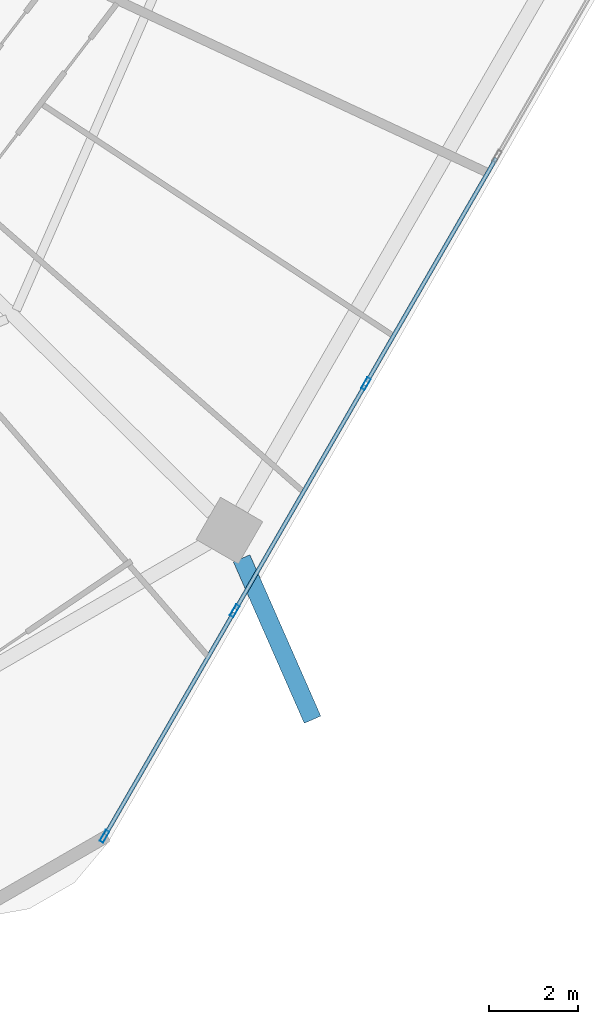
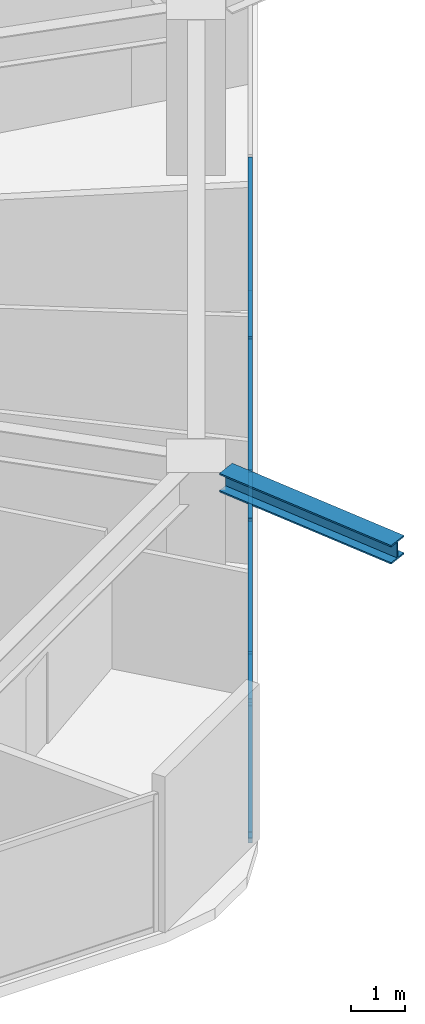
# One storey, part 8 of 29: 9 members, 1 beam, 1 element without a shape of its own.
"""IFC4 building model written with IfcOpenShell, lengths in metres."""

import ifcopenshell
import ifcopenshell.guid

model = None  # the IFC model being written
_history = None  # IfcOwnerHistory: only IFC2X3 demands one
_inside = {}  # id of a spatial element -> (the spatial element, [elements in it])
_under = {}  # id of a project, library or spatial element -> (it, [spatial elements below it])
_declared = {}  # id of a project -> (the project, [libraries it declares])
_typed = {}  # id of a type object -> (the type object, [elements of that type])
_made_of = {}  # id of a material, layer set ... -> (it, [elements and type objects made of it])


def new_model(schema):
    """Start an empty IFC model of exactly this schema.

    Asked for "IFC4X3", IfcOpenShell would pick the latest addendum, in which some entities
    have other attributes; the version numbers below select the first issue.
    IFC2X3 requires an IfcOwnerHistory on every rooted entity: one is made here for all.
    """
    global model, _history
    if schema == "IFC4X3":
        model = ifcopenshell.file(schema_version=(4, 3, 0, 0))
    else:
        model = ifcopenshell.file(schema=schema)
    _inside.clear()
    _under.clear()
    _declared.clear()
    _typed.clear()
    _made_of.clear()
    _history = None
    if model.schema == "IFC2X3":
        org = make("IfcOrganization", Name="unknown")
        user = make(
            "IfcPersonAndOrganization",
            ThePerson=make("IfcPerson", FamilyName="unknown"),
            TheOrganization=org,
        )
        app = make(
            "IfcApplication",
            ApplicationDeveloper=org,
            Version="unknown",
            ApplicationFullName="unknown",
            ApplicationIdentifier="unknown",
        )
        _history = make(
            "IfcOwnerHistory",
            OwningUser=user,
            OwningApplication=app,
            ChangeAction="ADDED",
            CreationDate=0,
        )
    return model


def make(cls, **values):
    """One entity of the class cls with the attributes given. An attribute that is None is left unset."""
    return model.create_entity(
        cls, **{name: value for name, value in values.items() if value is not None}
    )


def rooted(cls, **values):
    """An entity with a GlobalId (a new one), such as an element, a storey or a relation."""
    return make(cls, GlobalId=ifcopenshell.guid.new(), OwnerHistory=_history, **values)


def si_unit(unit_type, name, prefix=None):
    """IfcSIUnit, for example si_unit("LENGTHUNIT", "METRE", prefix="MILLI")."""
    return make("IfcSIUnit", UnitType=unit_type, Prefix=prefix, Name=name)


def assignment(units):
    """IfcUnitAssignment: the units of a project."""
    return None if units is None else make("IfcUnitAssignment", Units=units)


def point(xyz):
    """IfcCartesianPoint."""
    return None if xyz is None else make("IfcCartesianPoint", Coordinates=xyz)


def direction(xyz):
    """IfcDirection."""
    return None if xyz is None else make("IfcDirection", DirectionRatios=xyz)


def frame(location, z_axis=None, x_axis=None):
    """IfcAxis2Placement3D, a coordinate frame: its origin and axes. An axis left out is left unset."""
    return make(
        "IfcAxis2Placement3D",
        Location=point(location),
        Axis=direction(z_axis),
        RefDirection=direction(x_axis),
    )


def frame_2d(location, x_axis=None):
    """IfcAxis2Placement2D, a coordinate frame in the plane: its origin and x axis."""
    return make(
        "IfcAxis2Placement2D", Location=point(location), RefDirection=direction(x_axis)
    )


def origin():
    """The frame at (0, 0, 0) with its axes left unset."""
    return frame((0.0, 0.0, 0.0))


def origin_2d():
    """The frame at (0, 0) in the plane with its x axis left unset."""
    return frame_2d((0.0, 0.0))


def place(relative_to, where):
    """IfcLocalPlacement: puts the frame where relative to a parent placement (None: the world)."""
    return make(
        "IfcLocalPlacement", PlacementRelTo=relative_to, RelativePlacement=where
    )


def context(
    kind, dimensions, precision=None, world=None, true_north=None, identifier=None
):
    """IfcGeometricRepresentationContext, for example the 3D "Model" context."""
    return make(
        "IfcGeometricRepresentationContext",
        ContextIdentifier=identifier,
        ContextType=kind,
        CoordinateSpaceDimension=dimensions,
        Precision=precision,
        WorldCoordinateSystem=world,
        TrueNorth=true_north,
    )


def subcontext(parent, identifier, kind, view, scale=None):
    """IfcGeometricRepresentationSubContext, for example "Body" below "Model"."""
    return make(
        "IfcGeometricRepresentationSubContext",
        ContextIdentifier=identifier,
        ContextType=kind,
        ParentContext=parent,
        TargetScale=scale,
        TargetView=view,
    )


def project(units=None, contexts=None):
    """IfcProject with its units and contexts."""
    return rooted(
        "IfcProject",
        Name="project",
        RepresentationContexts=contexts,
        UnitsInContext=assignment(units),
    )


def spatial(cls, under=None, at=None, **own):
    """A site, building, storey or space (cls), placed at a placement, below another one or the project."""
    s = rooted(cls, ObjectPlacement=at, **own)
    if under is not None:
        _under.setdefault(under.id(), (under, []))[1].append(s)
    return s


def profile(cls, at=None, kind="AREA", **sizes):
    """A parametric profile (cls). Its sizes go by their IFC names, for example OverallWidth=200.0."""
    return make(cls, ProfileType=kind, Position=at, **sizes)


def hollow_rectangle(**sizes):
    """IfcRectangleHollowProfileDef."""
    return profile("IfcRectangleHollowProfileDef", **sizes)


def i_section(**sizes):
    """IfcIShapeProfileDef."""
    return profile("IfcIShapeProfileDef", **sizes)


def extrude(swept, where, along, depth):
    """IfcExtrudedAreaSolid: the profile swept, set in the frame where, extruded along a direction by depth."""
    return make(
        "IfcExtrudedAreaSolid",
        SweptArea=swept,
        Position=where,
        ExtrudedDirection=direction(along),
        Depth=depth,
    )


def shape(context_of_items, identifier, shape_type, items):
    """IfcShapeRepresentation: the items that make up one representation, for example the "Body"."""
    return make(
        "IfcShapeRepresentation",
        ContextOfItems=context_of_items,
        RepresentationIdentifier=identifier,
        RepresentationType=shape_type,
        Items=items,
    )


def material(Name=None, Category=None):
    """IfcMaterial."""
    return make("IfcMaterial", Name=Name, Category=Category)


def material_profile(
    of_material, cross_section, Name=None, Category=None, Priority=None
):
    """IfcMaterialProfile: a cross section and its material."""
    return make(
        "IfcMaterialProfile",
        Name=Name,
        Material=of_material,
        Profile=cross_section,
        Priority=Priority,
        Category=Category,
    )


def profile_set(profiles, Name=None, composite=None):
    """IfcMaterialProfileSet."""
    return make(
        "IfcMaterialProfileSet",
        Name=Name,
        MaterialProfiles=profiles,
        CompositeProfile=composite,
    )


def made_of(thing, what):
    """Note that an element or type object is made of a material, layer set ...; save() writes the relation."""
    if what is not None:
        _made_of.setdefault(what.id(), (what, []))[1].append(thing)
    return thing


def type_object(cls, material=None, **own):
    """A type object (cls), such as IfcWallType, which elements share."""
    return made_of(rooted(cls, **own), material)


def element(
    cls,
    number,
    at=None,
    inside=None,
    cuts=None,
    type_object=None,
    material=None,
    context=None,
    identifier="Body",
    shape_type=None,
    held_by="IfcProductDefinitionShape",
    body=None,
    shapes=None,
    **own,
):
    """One element of the class cls, such as IfcWall. Its Tag is "e" and its number.

    at: its placement. inside: the storey or other place that contains it. cuts: it is an
    opening in that element (IfcRelVoidsElement). A single representation is given by context,
    identifier, shape_type and body (its items); several are given by shapes. held_by: the class
    of the entity that holds the representations. save() writes the other relations.
    """
    e = rooted(cls, Tag="e%d" % number, ObjectPlacement=at, **own)
    if body is not None:
        shapes = [shape(context, identifier, shape_type, body)]
    if shapes is not None:
        e.Representation = make(held_by, Representations=shapes)
    if inside is not None:
        _inside.setdefault(inside.id(), (inside, []))[1].append(e)
    if cuts is not None:
        rooted(
            "IfcRelVoidsElement", RelatingBuildingElement=cuts, RelatedOpeningElement=e
        )
    if type_object is not None:
        _typed.setdefault(type_object.id(), (type_object, []))[1].append(e)
    return made_of(e, material)


def aggregate(whole, parts):
    """IfcRelAggregates: a whole, such as a stair, and the parts it consists of."""
    return rooted("IfcRelAggregates", RelatingObject=whole, RelatedObjects=parts)


def save(model, path):
    """Write the relations noted so far, then the file.

    IfcRelAggregates (storeys below a building ...), IfcRelContainedInSpatialStructure (elements
    in a storey), IfcRelDefinesByType, IfcRelAssociatesMaterial and IfcRelDeclares: one each for
    every whole, place, type object, material and project.
    """
    for whole, parts in _under.values():
        aggregate(whole, parts)
    for where, things in _inside.values():
        rooted(
            "IfcRelContainedInSpatialStructure",
            RelatedElements=things,
            RelatingStructure=where,
        )
    for kind, things in _typed.values():
        rooted("IfcRelDefinesByType", RelatedObjects=things, RelatingType=kind)
    for what, things in _made_of.values():
        rooted("IfcRelAssociatesMaterial", RelatedObjects=things, RelatingMaterial=what)
    for by, libraries in _declared.values():
        rooted("IfcRelDeclares", RelatingContext=by, RelatedDefinitions=libraries)
    model.write(path)


model = new_model("IFC4")

# Units and contexts
model_context = context("Model", 3, precision=1e-05, world=origin(), true_north=direction((0.0, 1.0)))
body_context = subcontext(model_context, "Body", "Model", "MODEL_VIEW")
ifc_project = project(units=[si_unit("LENGTHUNIT", "METRE"), si_unit("AREAUNIT", "SQUARE_METRE"), si_unit("VOLUMEUNIT", "CUBIC_METRE"), si_unit("PLANEANGLEUNIT", "RADIAN"), si_unit("MASSUNIT", "GRAM", prefix="KILO")], contexts=[model_context])

# Site, building, storey
site_placement = place(None, origin())
site = spatial("IfcSite", under=ifc_project, at=site_placement, CompositionType="ELEMENT")
building_placement = place(site_placement, origin())
building = spatial("IfcBuilding", under=site, at=building_placement, Name="Zuhravey Tower", CompositionType="ELEMENT")
storey_placement = place(building_placement, frame((0.0, 0.0, 134.199951171875)))
storey = spatial("IfcBuildingStorey", under=building, at=storey_placement, Name="L33", CompositionType="ELEMENT", Elevation=134.199951171875)

# Curtain wall, members
ifc_material_1 = material(Name="Thermally broken anodised aluminium", Category="aluminium")
curtain_wall_type = type_object("IfcCurtainWallType", Name="Zone 1-2 Residential Curtain Wall CW3", PredefinedType="NOTDEFINED", material=ifc_material_1)
curtain_wall_placement = place(storey_placement, origin())
curtain_wall = element("IfcCurtainWall", 1, at=curtain_wall_placement, inside=storey, type_object=curtain_wall_type, Name="L33 CW3 CW-L33-F6-1", PredefinedType="NOTDEFINED")
ifc_material_2 = material(Name="Anodised aluminium", Category="aluminium")
ifc_material_profile_1 = material_profile(ifc_material_2, hollow_rectangle(XDim=0.090087890625, YDim=0.284912109375, WallThickness=0.0048828125, at=origin_2d()), Name="ALU-RHS-90x285x5")
ifc_profile_set_1 = profile_set([ifc_material_profile_1], Name="Anodised aluminium")
member_type_1 = type_object("IfcMemberType", Name="Curtain-Wall Mullion 90x180", PredefinedType="MULLION", material=ifc_profile_set_1)
member_1_placement = place(storey_placement, frame((59.598876953125, 14.95751953125, 0.0), z_axis=(0.0, 0.0, 1.0), x_axis=(0.86602552265, -0.499999794119, 0.0)))
member_1 = element("IfcMember", 2, at=member_1_placement, type_object=member_type_1, Name="CW3 mullion 4", PredefinedType="MULLION", context=body_context, shape_type="SweptSolid", body=[
    extrude(hollow_rectangle(XDim=0.090087890625, YDim=0.284912109375, WallThickness=0.0048828125, at=origin_2d()), origin(), (0.0, 0.0, 1.0), 3.1220703125),
])
member_2_placement = place(storey_placement, frame((56.638916015625, 9.830810546875, 0.0), z_axis=(0.0, 0.0, 1.0), x_axis=(0.86602552265, -0.499999794119, 0.0)))
member_2 = element("IfcMember", 3, at=member_2_placement, type_object=member_type_1, Name="CW3 mullion 5", PredefinedType="MULLION", context=body_context, shape_type="SweptSolid", body=[
    extrude(hollow_rectangle(XDim=0.090087890625, YDim=0.284912109375, WallThickness=0.0048828125, at=origin_2d()), origin(), (0.0, 0.0, 1.0), 3.1220703125),
])
member_3_placement = place(storey_placement, frame((53.701416015625, 4.742919921875, 0.0), z_axis=(0.0, 0.0, 1.0), x_axis=(0.86602552265, -0.499999794119, 0.0)))
member_3 = element("IfcMember", 4, at=member_3_placement, type_object=member_type_1, Name="CW3 mullion 6", PredefinedType="MULLION", context=body_context, shape_type="SweptSolid", body=[
    extrude(hollow_rectangle(XDim=0.090087890625, YDim=0.284912109375, WallThickness=0.0048828125, at=origin_2d()), origin(), (0.0, 0.0, 1.0), 3.1220703125),
])
ifc_material_profile_2 = material_profile(ifc_material_2, hollow_rectangle(XDim=0.090087890625, YDim=0.14990234375, WallThickness=0.0048828125, at=origin_2d()), Name="ALU-RHS-90x150x5")
ifc_profile_set_2 = profile_set([ifc_material_profile_2], Name="Anodised aluminium")
member_type_2 = type_object("IfcMemberType", Name="Curtain-Wall Transom 90x150", PredefinedType="USERDEFINED", material=ifc_profile_set_2)
member_4_placement = place(storey_placement, frame((62.5361328125, 20.045166015625, 0.045166015625), z_axis=(-0.499981042766, -0.866036348472, 0.0), x_axis=(0.866036348472, -0.499981042766, 0.0)))
member_4 = element("IfcMember", 5, at=member_4_placement, type_object=member_type_2, Name="CW3 transom 3.1", ObjectType="TRANSOM", PredefinedType="USERDEFINED", context=body_context, shape_type="SweptSolid", body=[
    extrude(hollow_rectangle(XDim=0.090087890625, YDim=0.14990234375, WallThickness=0.0048828125, at=origin_2d()), origin(), (0.0, 0.0, 1.0), 5.829833984375),
])
member_5_placement = place(storey_placement, frame((62.5361328125, 20.045166015625, 3.0771484375), z_axis=(-0.499981042766, -0.866036348472, 0.0), x_axis=(0.866036348472, -0.499981042766, 0.0)))
member_5 = element("IfcMember", 6, at=member_5_placement, type_object=member_type_2, Name="CW3 transom 3.2", ObjectType="TRANSOM", PredefinedType="USERDEFINED", context=body_context, shape_type="SweptSolid", body=[
    extrude(hollow_rectangle(XDim=0.090087890625, YDim=0.14990234375, WallThickness=0.0048828125, at=origin_2d()), origin(), (0.0, 0.0, 1.0), 5.829833984375),
])
member_6_placement = place(storey_placement, frame((59.576416015625, 14.91845703125, 0.045166015625), z_axis=(-0.500012451049, -0.866018215049, 0.0), x_axis=(0.866018215049, -0.500012451049, 0.0)))
member_6 = element("IfcMember", 7, at=member_6_placement, type_object=member_type_2, Name="CW3 transom 4.1", ObjectType="TRANSOM", PredefinedType="USERDEFINED", context=body_context, shape_type="SweptSolid", body=[
    extrude(hollow_rectangle(XDim=0.090087890625, YDim=0.14990234375, WallThickness=0.0048828125, at=origin_2d()), origin(), (0.0, 0.0, 1.0), 5.829833984375),
])
member_7_placement = place(storey_placement, frame((59.576416015625, 14.91845703125, 3.0771484375), z_axis=(-0.500012451049, -0.866018215049, 0.0), x_axis=(0.866018215049, -0.500012451049, 0.0)))
member_7 = element("IfcMember", 8, at=member_7_placement, type_object=member_type_2, Name="CW3 transom 4.2", ObjectType="TRANSOM", PredefinedType="USERDEFINED", context=body_context, shape_type="SweptSolid", body=[
    extrude(hollow_rectangle(XDim=0.090087890625, YDim=0.14990234375, WallThickness=0.0048828125, at=origin_2d()), origin(), (0.0, 0.0, 1.0), 5.829833984375),
])
member_8_placement = place(storey_placement, frame((56.616455078125, 9.791748046875, 0.045166015625), z_axis=(-0.499992798144, -0.866029561738, 0.0), x_axis=(0.866029561738, -0.499992798144, 0.0)))
member_8 = element("IfcMember", 9, at=member_8_placement, type_object=member_type_2, Name="CW3 transom 5.1", ObjectType="TRANSOM", PredefinedType="USERDEFINED", context=body_context, shape_type="SweptSolid", body=[
    extrude(hollow_rectangle(XDim=0.090087890625, YDim=0.14990234375, WallThickness=0.0048828125, at=origin_2d()), origin(), (0.0, 0.0, 1.0), 5.78466796875),
])
member_9_placement = place(storey_placement, frame((56.616455078125, 9.791748046875, 3.0771484375), z_axis=(-0.499992798144, -0.866029561738, 0.0), x_axis=(0.866029561738, -0.499992798144, 0.0)))
member_9 = element("IfcMember", 10, at=member_9_placement, type_object=member_type_2, Name="CW3 transom 5.2", ObjectType="TRANSOM", PredefinedType="USERDEFINED", context=body_context, shape_type="SweptSolid", body=[
    extrude(hollow_rectangle(XDim=0.090087890625, YDim=0.14990234375, WallThickness=0.0048828125, at=origin_2d()), origin(), (0.0, 0.0, 1.0), 5.78466796875),
])
aggregate(curtain_wall, [member_1, member_2, member_3, member_4, member_5, member_6, member_7, member_8, member_9])

# Beam
ifc_material_3 = material(Name="Steel SM460", Category="steel")
ifc_material_profile_3 = material_profile(ifc_material_3, i_section(OverallWidth=0.406982421875, OverallDepth=0.427978515625, WebThickness=0.02001953125, FlangeThickness=0.034912109375, at=origin_2d()), Name="H-428x407x20x35")
ifc_profile_set_3 = profile_set([ifc_material_profile_3], Name="Steel SM460")
beam_type = type_object("IfcBeamType", Name="Exoskeleton Node Tie Beam H428x407", PredefinedType="BEAM", material=ifc_profile_set_3)
beam_placement = place(storey_placement, frame((56.795166015625, 11.014892578125, 3.3359375), z_axis=(0.402345456296, -0.915487921164, 0.0), x_axis=(0.915487921164, 0.402345456296, 0.0)))
element("IfcBeam", 11, at=beam_placement, inside=storey, type_object=beam_type, Name="L33 Exoskeleton Node Tie NT1-11", PredefinedType="BEAM", context=body_context, shape_type="SweptSolid", body=[
    extrude(i_section(OverallWidth=0.406982421875, OverallDepth=0.427978515625, WebThickness=0.02001953125, FlangeThickness=0.034912109375, at=origin_2d()), origin(), (0.0, 0.0, 1.0), 3.97509765625),
])

save(model, "model.ifc")
